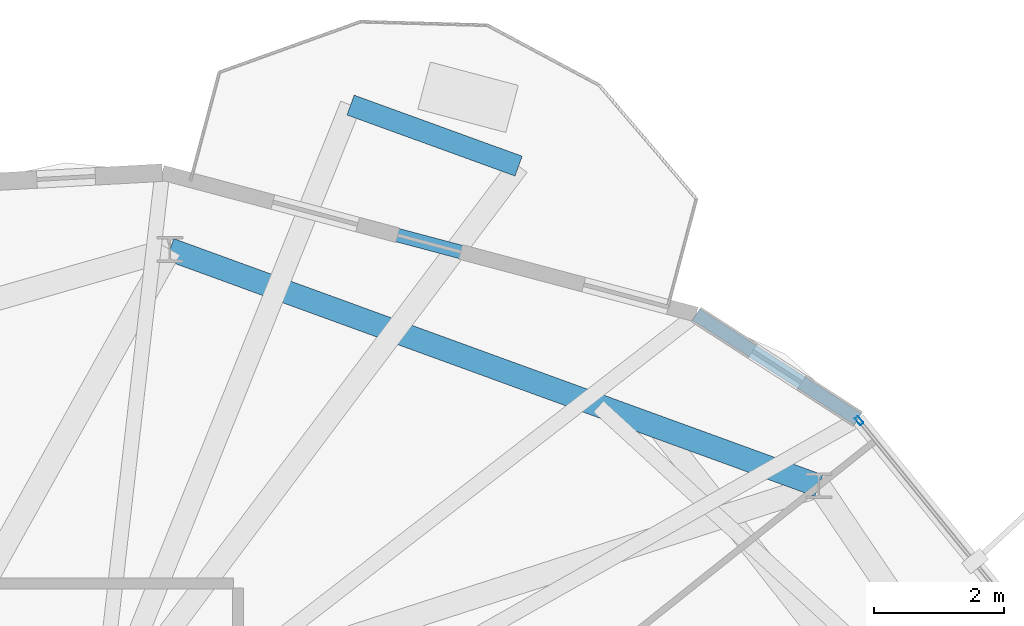
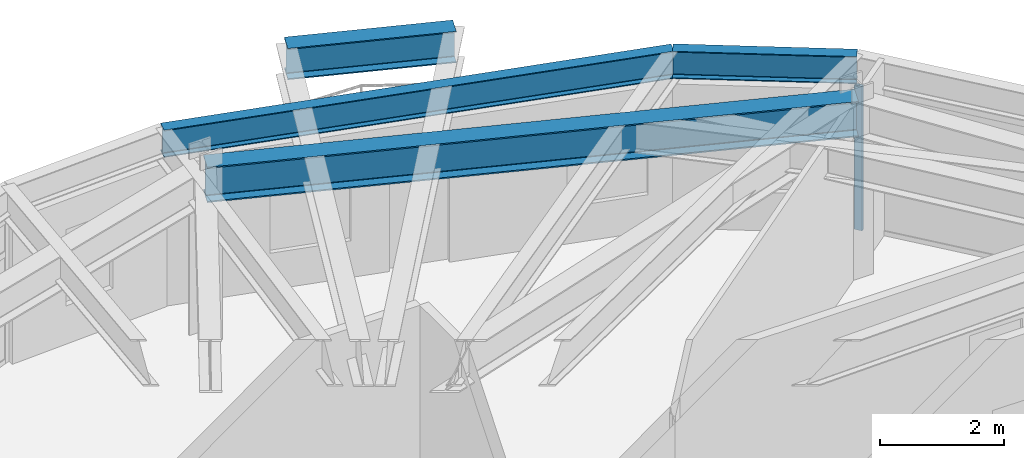
# One storey, part 19 of 26: 4 beams, 1 member, 1 element without a shape of its own.
"""IFC4 building model written with IfcOpenShell, lengths in metres."""

from ifc_helpers import new_model, si_unit, direction, frame, origin, origin_2d, place, context, subcontext, project, spatial, hollow_rectangle, i_section, extrude, material, layer, layer_set, material_profile, profile_set, type_object, element, aggregate, save


model = new_model("IFC4")

# Units and contexts
model_context = context("Model", 3, precision=1e-05, world=origin(), true_north=direction((0.0, 1.0)))
body_context = subcontext(model_context, "Body", "Model", "MODEL_VIEW")
ifc_project = project(units=[si_unit("LENGTHUNIT", "METRE"), si_unit("AREAUNIT", "SQUARE_METRE"), si_unit("VOLUMEUNIT", "CUBIC_METRE"), si_unit("PLANEANGLEUNIT", "RADIAN"), si_unit("MASSUNIT", "GRAM", prefix="KILO")], contexts=[model_context])

# Site, building, storey
site_placement = place(None, origin())
site = spatial("IfcSite", under=ifc_project, at=site_placement, CompositionType="ELEMENT")
building_placement = place(site_placement, origin())
building = spatial("IfcBuilding", under=site, at=building_placement, Name="Soratama Intermodal Tower", CompositionType="ELEMENT")
storey_placement = place(building_placement, frame((0.0, 0.0, 242.5)))
storey = spatial("IfcBuildingStorey", under=building, at=storey_placement, Name="L61", CompositionType="ELEMENT", Elevation=242.5)

# Beams
ifc_material_1 = material(Name="Structural steel ASTM A992 Grade 50", Category="steel")
ifc_material_profile_1 = material_profile(ifc_material_1, i_section(OverallWidth=0.324951171875, OverallDepth=0.615966796875, WebThickness=0.013916015625, FlangeThickness=0.021484375, FilletRadius=0.013916015625, at=origin_2d()), Name="W24X117")
ifc_profile_set_1 = profile_set([ifc_material_profile_1], Name="Structural steel ASTM A992 Grade 50")
beam_type_1 = type_object("IfcBeamType", Name="BM-CANT-W24X117", PredefinedType="BEAM", material=ifc_profile_set_1)
beam_1_placement = place(storey_placement, frame((50.967041015625, 43.472900390625, 3.14208984375), z_axis=(-0.939925490424, 0.341379660278, 0.0), x_axis=(-0.341379660278, -0.939925490424, 0.0)))
element("IfcBeam", 1, at=beam_1_placement, inside=storey, type_object=beam_type_1, Name="BM-L61-CBHDR-2", PredefinedType="BEAM", context=body_context, shape_type="SweptSolid", body=[
    extrude(i_section(OverallWidth=0.324951171875, OverallDepth=0.615966796875, WebThickness=0.013916015625, FlangeThickness=0.021484375, FilletRadius=0.013916015625, at=origin_2d()), origin(), (0.0, 0.0, 1.0), 2.751220703125),
])
ifc_material_2 = material(Name="Structural steel ASTM A992 Grade 50", Category="steel")
ifc_material_profile_2 = material_profile(ifc_material_2, i_section(OverallWidth=0.35498046875, OverallDepth=0.695068359375, WebThickness=0.015380859375, FlangeThickness=0.02490234375, FilletRadius=0.01611328125, at=origin_2d()), Name="W27X146")
ifc_profile_set_2 = profile_set([ifc_material_profile_2], Name="Structural steel ASTM A992 Grade 50")
beam_type_2 = type_object("IfcBeamType", Name="BM-RING-W27X146", PredefinedType="BEAM", material=ifc_profile_set_2)
beam_2_placement = place(storey_placement, frame((55.589111328125, 38.553955078125, 3.1025390625), z_axis=(-0.939684073866, 0.342043624883, 0.0), x_axis=(-0.342043624883, -0.939684073866, 0.0)))
element("IfcBeam", 2, at=beam_2_placement, inside=storey, type_object=beam_type_2, Name="BM-L61-RING-02", PredefinedType="BEAM", context=body_context, shape_type="SweptSolid", body=[
    extrude(i_section(OverallWidth=0.35498046875, OverallDepth=0.695068359375, WebThickness=0.015380859375, FlangeThickness=0.02490234375, FilletRadius=0.01611328125, at=origin_2d()), origin(), (0.0, 0.0, 1.0), 10.630126953125),
])
ifc_material_3 = material(Name="Structural steel ASTM A992 Grade 50", Category="steel")
ifc_material_profile_3 = material_profile(ifc_material_3, i_section(OverallWidth=0.2099609375, OverallDepth=0.537109375, WebThickness=0.010986328125, FlangeThickness=0.017333984375, FilletRadius=0.012939453125, at=origin_2d()), Name="W21X68")
ifc_profile_set_3 = profile_set([ifc_material_profile_3], Name="Structural steel ASTM A992 Grade 50")
beam_type_3 = type_object("IfcBeamType", Name="BM-SPN-W21X68", PredefinedType="SPANDREL", material=ifc_profile_set_3)
beam_3_placement = place(storey_placement, frame((53.698974609375, 41.18896484375, 3.181396484375), z_axis=(-0.966456726807, 0.25682950611, 0.0), x_axis=(-0.25682950611, -0.966456726807, 0.0)))
element("IfcBeam", 3, at=beam_3_placement, inside=storey, type_object=beam_type_3, Name="BS-L61-F01", PredefinedType="SPANDREL", context=body_context, shape_type="SweptSolid", body=[
    extrude(i_section(OverallWidth=0.2099609375, OverallDepth=0.537109375, WebThickness=0.010986328125, FlangeThickness=0.017333984375, FilletRadius=0.012939453125, at=origin_2d()), origin(), (0.0, 0.0, 1.0), 8.500244140625),
])
beam_4_placement = place(storey_placement, frame((56.18994140625, 39.577880859375, 3.181396484375), z_axis=(-0.839680538789, 0.543080650345, 0.0), x_axis=(-0.543080650345, -0.839680538789, 0.0)))
element("IfcBeam", 4, at=beam_4_placement, inside=storey, type_object=beam_type_3, Name="BS-L61-CRN10", PredefinedType="SPANDREL", context=body_context, shape_type="SweptSolid", body=[
    extrude(i_section(OverallWidth=0.2099609375, OverallDepth=0.537109375, WebThickness=0.010986328125, FlangeThickness=0.017333984375, FilletRadius=0.012939453125, at=origin_2d()), origin(), (0.0, 0.0, 1.0), 2.966552734375),
])

# Curtain wall, member
ifc_material_4 = material(Name="Double-glazed aluminium curtain wall", Category="aluminium")
ifc_layer = layer(ifc_material_4, 0.159912109375)
ifc_layer_set = layer_set([ifc_layer], Name="Double-glazed aluminium curtain wall")
curtain_wall_type = type_object("IfcCurtainWallType", Name="CW-SYS-5", PredefinedType="NOTDEFINED", material=ifc_layer_set)
curtain_wall_placement = place(storey_placement, origin())
curtain_wall = element("IfcCurtainWall", 5, at=curtain_wall_placement, inside=storey, type_object=curtain_wall_type, Name="L61 Faceted Curtain Wall F10", PredefinedType="NOTDEFINED")
ifc_material_5 = material(Name="Anodised aluminium AA 6063-T6", Category="aluminium")
ifc_material_profile_4 = material_profile(ifc_material_5, hollow_rectangle(XDim=0.06494140625, YDim=0.139892578125, WallThickness=0.0048828125, InnerFilletRadius=0.0048828125, OuterFilletRadius=0.010009765625, at=origin_2d()), Name="CWM140X65X5")
ifc_profile_set_4 = profile_set([ifc_material_profile_4], Name="Anodised aluminium AA 6063-T6")
member_type = type_object("IfcMemberType", Name="MT-CWM-5", PredefinedType="MULLION", material=ifc_profile_set_4)
member_placement = place(storey_placement, frame((56.209228515625, 39.55517578125, 0.0), z_axis=(0.0, 0.0, 1.0), x_axis=(-0.775824220588, -0.630949109477, 0.0)))
member = element("IfcMember", 6, at=member_placement, type_object=member_type, Name="CW-5 mullion 2", PredefinedType="MULLION", context=body_context, shape_type="SweptSolid", body=[
    extrude(hollow_rectangle(XDim=0.06494140625, YDim=0.139892578125, WallThickness=0.0048828125, InnerFilletRadius=0.0048828125, OuterFilletRadius=0.010009765625, at=origin_2d()), origin(), (0.0, 0.0, 1.0), 2.8291015625),
])
aggregate(curtain_wall, [member])

save(model, "model.ifc")
